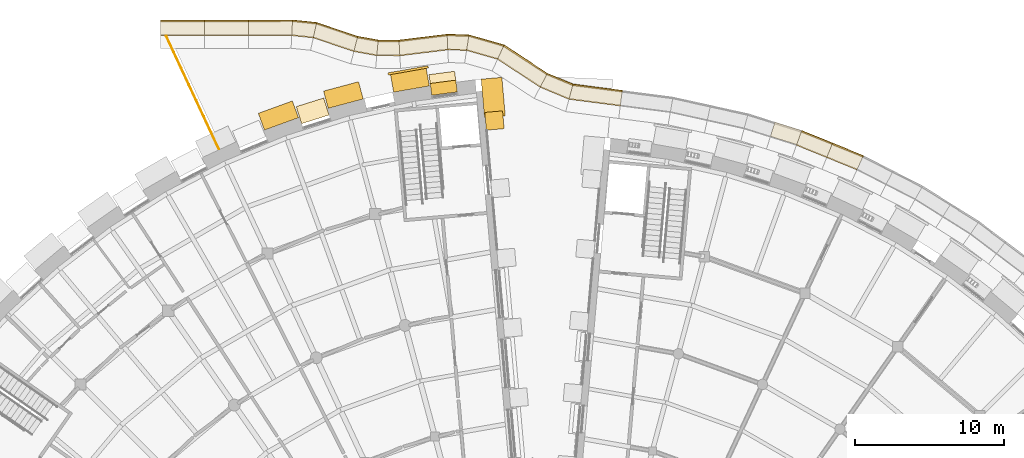
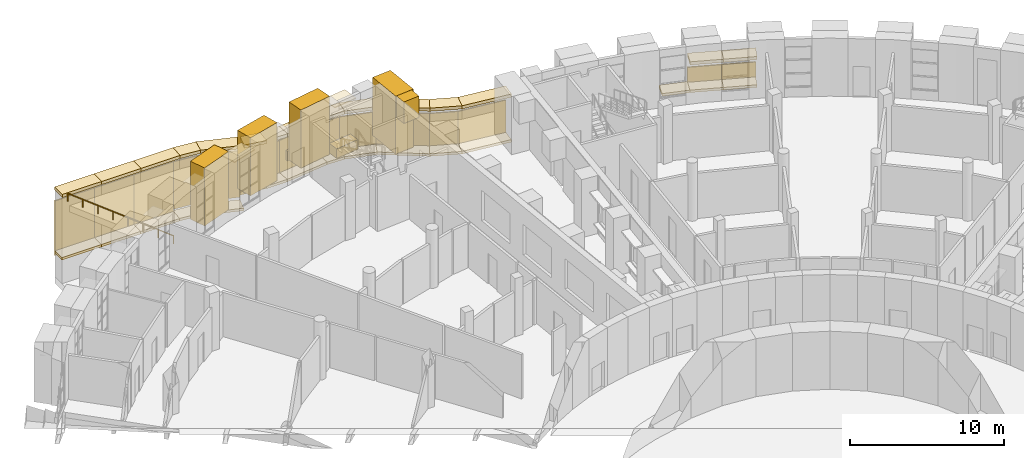
# One storey, part 80 of 85: 55 coverings, 1 railing.
"""IFC4 building model written with IfcOpenShell, lengths in metres."""

from ifc_helpers import new_model, si_unit, direction, frame, origin, origin_2d, place, context, subcontext, project, spatial, polyline, rectangle, circle, outline, extrude, material, layer, layer_set, type_object, element, save


model = new_model("IFC4")

# Units and contexts
model_context = context("Model", 3, precision=1e-05, world=origin(), true_north=direction((0.0, 1.0)))
body_context = subcontext(model_context, "Body", "Model", "MODEL_VIEW")
ifc_project = project(units=[si_unit("LENGTHUNIT", "METRE"), si_unit("AREAUNIT", "SQUARE_METRE"), si_unit("VOLUMEUNIT", "CUBIC_METRE"), si_unit("PLANEANGLEUNIT", "RADIAN"), si_unit("MASSUNIT", "GRAM", prefix="KILO")], contexts=[model_context])

# Site, building, storey
site_placement = place(None, origin())
site = spatial("IfcSite", under=ifc_project, at=site_placement, CompositionType="ELEMENT")
building_placement = place(site_placement, origin())
building = spatial("IfcBuilding", under=site, at=building_placement, Name="Volute Hill Aquarium", CompositionType="ELEMENT")
storey_placement = place(building_placement, origin())
storey = spatial("IfcBuildingStorey", under=building, at=storey_placement, Name="L01", CompositionType="ELEMENT", Elevation=0.0)

# Coverings
ifc_material_1 = material(Name="Blue limestone", Category="masonry")
covering_type_1 = type_object("IfcCoveringType", Name="Bluestone plinth block 275x750", PredefinedType="CLADDING", material=ifc_material_1)
covering_1_placement = place(storey_placement, frame((-6.84765625, 51.24560546875, 0.0), z_axis=(0.0, 0.0, 1.0), x_axis=(-0.991444832339, -0.130526412759, 0.0)))
element("IfcCovering", 1, at=covering_1_placement, inside=storey, type_object=covering_type_1, Name="Bluestone plinth BPN S6 L01 1", PredefinedType="CLADDING", context=body_context, shape_type="SweptSolid", body=[
    extrude(rectangle(XDim=1.733642578125, YDim=0.800048828125, at=origin_2d()), origin(), (0.0, 0.0, 1.0), 0.75),
])
ifc_material_2 = material(Name="Blue limestone", Category="masonry")
ifc_layer_1 = layer(ifc_material_2, 0.14990234375)
ifc_layer_set_1 = layer_set([ifc_layer_1], Name="Bluestone plinth plate 150x750")
covering_type_2 = type_object("IfcCoveringType", Name="Bluestone plinth plate 150x750", PredefinedType="CLADDING", material=ifc_layer_set_1)
covering_2_placement = place(storey_placement, frame((-9.2412109375, 52.41015625, 0.0), z_axis=(0.0, 0.0, 1.0), x_axis=(-0.984807753012, -0.173648177667, 0.0)))
element("IfcCovering", 2, at=covering_2_placement, inside=storey, type_object=covering_type_2, Name="Bluestone plinth BP S6 L01 1", PredefinedType="CLADDING", context=body_context, shape_type="SweptSolid", body=[
    extrude(rectangle(XDim=2.7353515625, YDim=0.14990234375, at=origin_2d()), origin(), (0.0, 0.0, 1.0), 0.75),
])
ifc_material_3 = material(Name="Precast concrete C40/50", Category="concrete")
covering_type_3 = type_object("IfcCoveringType", Name="End wall precast fin C40/50 1200x1200", PredefinedType="CLADDING", material=ifc_material_3)
covering_3_placement = place(storey_placement, frame((-3.43701171875, 49.037109375, 2.89990234375), z_axis=(0.0, 0.0, 1.0), x_axis=(-0.087158393672, 0.996194466162, 0.0)))
element("IfcCovering", 3, at=covering_3_placement, inside=storey, type_object=covering_type_3, Name="End wall fin EWF S6A L01 7", PredefinedType="CLADDING", context=body_context, shape_type="SweptSolid", body=[
    extrude(rectangle(XDim=1.199951171875, YDim=1.199951171875, at=origin_2d()), origin(), (0.0, 0.0, 1.0), 1.699951171875),
])
ifc_material_4 = material(Name="Aluminium, anodised", Category="aluminium")
ifc_layer_2 = layer(ifc_material_4, 0.080078125)
ifc_layer_set_2 = layer_set([ifc_layer_2], Name="Horizontal brise-soleil eyebrow 1200x80")
covering_type_4 = type_object("IfcCoveringType", Name="Horizontal brise-soleil eyebrow 1200x80", PredefinedType="CLADDING", material=ifc_layer_set_2)
covering_4_placement = place(storey_placement, frame((-6.89990234375, 51.64208984375, 3.85986328125), z_axis=(0.0, 0.0, 1.0), x_axis=(-0.991444832339, -0.130526412759, 0.0)))
element("IfcCovering", 4, at=covering_4_placement, inside=storey, type_object=covering_type_4, Name="Brise-soleil eyebrow BS S6 L01 1.1", PredefinedType="CLADDING", context=body_context, shape_type="SweptSolid", body=[
    extrude(rectangle(XDim=1.733642578125, YDim=1.199951171875, at=origin_2d()), origin(), (0.0, 0.0, 1.0), 0.080078125),
])
covering_5_placement = place(storey_placement, frame((-15.6669921875, 49.689453125, 3.85986328125), z_axis=(0.0, 0.0, 1.0), x_axis=(-0.953718003322, -0.300702461147, 0.0)))
element("IfcCovering", 5, at=covering_5_placement, inside=storey, type_object=covering_type_4, Name="Brise-soleil eyebrow BS S6 L01 3.1", PredefinedType="CLADDING", context=body_context, shape_type="SweptSolid", body=[
    extrude(rectangle(XDim=1.933837890625, YDim=1.199951171875, at=origin_2d()), origin(), (0.0, 0.0, 1.0), 0.080078125),
])
ifc_material_5 = material(Name="Precast concrete C40/50", Category="concrete")
ifc_layer_3 = layer(ifc_material_5, 0.25)
ifc_layer_set_3 = layer_set([ifc_layer_3], Name="Plinth coping precast concrete C40/50 1000")
covering_type_5 = type_object("IfcCoveringType", Name="Plinth coping precast concrete C40/50 1000", PredefinedType="CLADDING", material=ifc_layer_set_3)
covering_6_placement = place(storey_placement, frame((0.0, 0.0, 0.85009765625)))
element("IfcCovering", 6, at=covering_6_placement, inside=storey, type_object=covering_type_5, Name="cp/E64UP/L01/0", PredefinedType="CLADDING", context=body_context, shape_type="SweptSolid", body=[
    extrude(outline(polyline([(21.3603515625, 46.62939453125), (19.28662109375, 47.471923828125), (18.91015625, 46.54541015625), (20.943603515625, 45.71923828125), (20.943603515625, 45.71923828125), (21.3603515625, 46.62939453125)])), origin(), (0.0, 0.0, 1.0), 0.25),
])
covering_7_placement = place(storey_placement, frame((0.0, 0.0, 0.85009765625)))
element("IfcCovering", 7, at=covering_7_placement, inside=storey, type_object=covering_type_5, Name="cp/E64UP/L01/1", PredefinedType="CLADDING", context=body_context, shape_type="SweptSolid", body=[
    extrude(outline(polyline([(19.28662109375, 47.471923828125), (17.21435546875, 48.31396484375), (16.875244140625, 47.372314453125), (16.875244140625, 47.372314453125), (18.91015625, 46.54541015625), (19.28662109375, 47.471923828125)])), origin(), (0.0, 0.0, 1.0), 0.25),
])
covering_8_placement = place(storey_placement, frame((0.0, 0.0, 0.85009765625)))
element("IfcCovering", 8, at=covering_8_placement, inside=storey, type_object=covering_type_5, Name="cp/E67UP/L01/1", PredefinedType="CLADDING", context=body_context, shape_type="SweptSolid", body=[
    extrude(outline(polyline([(5.1552734375, 51.010009765625), (1.836669921875, 51.439208984375), (1.574951171875, 50.46484375), (1.574951171875, 50.46484375), (5.027099609375, 50.018310546875), (5.1552734375, 51.010009765625)])), origin(), (0.0, 0.0, 1.0), 0.25),
])
covering_9_placement = place(storey_placement, frame((0.0, 0.0, 0.85009765625)))
element("IfcCovering", 9, at=covering_9_placement, inside=storey, type_object=covering_type_5, Name="cp/E68UP/L01/0", PredefinedType="CLADDING", context=body_context, shape_type="SweptSolid", body=[
    extrude(outline(polyline([(0.103271484375, 52.164306640625), (0.103271484375, 52.164306640625), (-0.367919921875, 51.277587890625), (1.574951171875, 50.46484375), (1.836669921875, 51.439208984375), (1.836669921875, 51.439208984375), (0.103271484375, 52.164306640625)])), origin(), (0.0, 0.0, 1.0), 0.25),
])
covering_10_placement = place(storey_placement, frame((0.0, 0.0, 0.85009765625)))
element("IfcCovering", 10, at=covering_10_placement, inside=storey, type_object=covering_type_5, Name="cp/E69UP/L01/0", PredefinedType="CLADDING", context=body_context, shape_type="SweptSolid", body=[
    extrude(outline(polyline([(-2.8095703125, 54.075439453125), (-2.8095703125, 54.075439453125), (-3.231201171875, 53.156005859375), (-0.367919921875, 51.277587890625), (-0.367919921875, 51.277587890625), (0.103271484375, 52.164306640625), (-2.8095703125, 54.075439453125)])), origin(), (0.0, 0.0, 1.0), 0.25),
])
covering_11_placement = place(storey_placement, frame((0.0, 0.0, 0.85009765625)))
element("IfcCovering", 11, at=covering_11_placement, inside=storey, type_object=covering_type_5, Name="cp/E70UP/L01/0", PredefinedType="CLADDING", context=body_context, shape_type="SweptSolid", body=[
    extrude(outline(polyline([(-2.8095703125, 54.075439453125), (-5.15966796875, 54.749755859375), (-5.3134765625, 53.753662109375), (-3.231201171875, 53.156005859375), (-3.231201171875, 53.156005859375), (-2.8095703125, 54.075439453125)])), origin(), (0.0, 0.0, 1.0), 0.25),
])
covering_12_placement = place(storey_placement, frame((0.0, 0.0, 0.85009765625)))
element("IfcCovering", 12, at=covering_12_placement, inside=storey, type_object=covering_type_5, Name="cp/E71UP/L01/0", PredefinedType="CLADDING", context=body_context, shape_type="SweptSolid", body=[
    extrude(outline(polyline([(-6.62158203125, 54.7890625), (-6.62158203125, 54.7890625), (-6.57421875, 53.78759765625), (-6.57421875, 53.78759765625), (-5.3134765625, 53.753662109375), (-5.3134765625, 53.753662109375), (-5.15966796875, 54.749755859375), (-5.15966796875, 54.749755859375), (-6.62158203125, 54.7890625)])), origin(), (0.0, 0.0, 1.0), 0.25),
])
covering_13_placement = place(storey_placement, frame((0.0, 0.0, 0.85009765625)))
element("IfcCovering", 13, at=covering_13_placement, inside=storey, type_object=covering_type_5, Name="cp/E72UP/L01/0", PredefinedType="CLADDING", context=body_context, shape_type="SweptSolid", body=[
    extrude(outline(polyline([(-9.8583984375, 54.393310546875), (-9.8583984375, 54.393310546875), (-9.800537109375, 53.392822265625), (-6.57421875, 53.78759765625), (-6.62158203125, 54.7890625), (-9.8583984375, 54.393310546875)])), origin(), (0.0, 0.0, 1.0), 0.25),
])
covering_14_placement = place(storey_placement, frame((0.0, 0.0, 0.85009765625)))
element("IfcCovering", 14, at=covering_14_placement, inside=storey, type_object=covering_type_5, Name="cp/E73UP/L01/0", PredefinedType="CLADDING", context=body_context, shape_type="SweptSolid", body=[
    extrude(outline(polyline([(-9.8583984375, 54.393310546875), (-11.26220703125, 54.401611328125), (-11.353759765625, 53.402099609375), (-9.800537109375, 53.392822265625), (-9.800537109375, 53.392822265625), (-9.8583984375, 54.393310546875)])), origin(), (0.0, 0.0, 1.0), 0.25),
])
covering_15_placement = place(storey_placement, frame((0.0, 0.0, 0.85009765625)))
element("IfcCovering", 15, at=covering_15_placement, inside=storey, type_object=covering_type_5, Name="cp/E74UP/L01/0", PredefinedType="CLADDING", context=body_context, shape_type="SweptSolid", body=[
    extrude(outline(polyline([(-12.646240234375, 54.649169921875), (-12.646240234375, 54.649169921875), (-12.8955078125, 53.677978515625), (-12.8955078125, 53.677978515625), (-11.353759765625, 53.402099609375), (-11.353759765625, 53.402099609375), (-11.26220703125, 54.401611328125), (-11.26220703125, 54.401611328125), (-12.646240234375, 54.649169921875)])), origin(), (0.0, 0.0, 1.0), 0.25),
])
covering_16_placement = place(storey_placement, frame((0.0, 0.0, 0.85009765625)))
element("IfcCovering", 16, at=covering_16_placement, inside=storey, type_object=covering_type_5, Name="cp/E75UP/L01/0", PredefinedType="CLADDING", context=body_context, shape_type="SweptSolid", body=[
    extrude(outline(polyline([(-15.40966796875, 55.581298828125), (-15.40966796875, 55.581298828125), (-15.6240234375, 54.598388671875), (-12.8955078125, 53.677978515625), (-12.646240234375, 54.649169921875), (-15.40966796875, 55.581298828125)])), origin(), (0.0, 0.0, 1.0), 0.25),
])
covering_17_placement = place(storey_placement, frame((0.0, 0.0, 0.85009765625)))
element("IfcCovering", 17, at=covering_17_placement, inside=storey, type_object=covering_type_5, Name="cp/E76UP/L01/0", PredefinedType="CLADDING", context=body_context, shape_type="SweptSolid", body=[
    extrude(outline(polyline([(-15.40966796875, 55.581298828125), (-17.02294921875, 55.75), (-17.074462890625, 54.75), (-17.074462890625, 54.75), (-15.6240234375, 54.598388671875), (-15.6240234375, 54.598388671875), (-15.40966796875, 55.581298828125)])), origin(), (0.0, 0.0, 1.0), 0.25),
])
covering_18_placement = place(storey_placement, frame((0.0, 0.0, 0.85009765625)))
element("IfcCovering", 18, at=covering_18_placement, inside=storey, type_object=covering_type_5, Name="cp/E77UP/L01/0", PredefinedType="CLADDING", context=body_context, shape_type="SweptSolid", body=[
    extrude(outline(polyline([(-17.02294921875, 55.75), (-19.998291015625, 55.7470703125), (-19.997314453125, 54.7470703125), (-17.074462890625, 54.75), (-17.02294921875, 55.75), (-17.02294921875, 55.75)])), origin(), (0.0, 0.0, 1.0), 0.25),
])
covering_19_placement = place(storey_placement, frame((0.0, 0.0, 0.85009765625)))
element("IfcCovering", 19, at=covering_19_placement, inside=storey, type_object=covering_type_5, Name="cp/E77UP/L01/1", PredefinedType="CLADDING", context=body_context, shape_type="SweptSolid", body=[
    extrude(outline(polyline([(-19.998291015625, 55.7470703125), (-22.947265625, 55.744384765625), (-22.946533203125, 54.744384765625), (-19.997314453125, 54.7470703125), (-19.998291015625, 55.7470703125)])), origin(), (0.0, 0.0, 1.0), 0.25),
])
covering_20_placement = place(storey_placement, frame((0.0, 0.0, 0.85009765625)))
element("IfcCovering", 20, at=covering_20_placement, inside=storey, type_object=covering_type_5, Name="cp/E77UP/L01/2", PredefinedType="CLADDING", context=body_context, shape_type="SweptSolid", body=[
    extrude(outline(polyline([(-22.947265625, 55.744384765625), (-25.896484375, 55.741455078125), (-25.8955078125, 54.741455078125), (-22.946533203125, 54.744384765625), (-22.947265625, 55.744384765625)])), origin(), (0.0, 0.0, 1.0), 0.25),
])
ifc_material_6 = material(Name="Precast concrete C40/50", Category="concrete")
ifc_layer_4 = layer(ifc_material_6, 0.199951171875)
ifc_layer_set_4 = layer_set([ifc_layer_4], Name="Plinth grade course precast concrete C40/50 1100")
covering_type_6 = type_object("IfcCoveringType", Name="Plinth grade course precast concrete C40/50 1100", PredefinedType="CLADDING", material=ifc_layer_set_4)
covering_21_placement = place(storey_placement, frame((0.0, 0.0, -1.375)))
element("IfcCovering", 21, at=covering_21_placement, inside=storey, type_object=covering_type_6, Name="gc/E64UP/L01/0", PredefinedType="CLADDING", context=body_context, shape_type="SweptSolid", body=[
    extrude(outline(polyline([(21.38134765625, 46.6748046875), (19.305419921875, 47.518310546875), (18.928955078125, 46.591796875), (20.96435546875, 45.764892578125), (20.96435546875, 45.764892578125), (21.38134765625, 46.6748046875), (21.38134765625, 46.6748046875)])), origin(), (0.0, 0.0, 1.0), 0.199951171875),
])
covering_22_placement = place(storey_placement, frame((0.0, 0.0, -1.375)))
element("IfcCovering", 22, at=covering_22_placement, inside=storey, type_object=covering_type_6, Name="gc/E64UP/L01/1", PredefinedType="CLADDING", context=body_context, shape_type="SweptSolid", body=[
    extrude(outline(polyline([(17.2314453125, 48.36083984375), (17.2314453125, 48.36083984375), (16.892333984375, 47.41943359375), (16.892333984375, 47.41943359375), (18.928955078125, 46.591796875), (19.305419921875, 47.518310546875), (17.2314453125, 48.36083984375)])), origin(), (0.0, 0.0, 1.0), 0.199951171875),
])
covering_23_placement = place(storey_placement, frame((0.0, 0.0, -1.375)))
element("IfcCovering", 23, at=covering_23_placement, inside=storey, type_object=covering_type_6, Name="gc/E65UP/L01/0", PredefinedType="CLADDING", context=body_context, shape_type="SweptSolid", body=[
    extrude(outline(polyline([(17.2314453125, 48.36083984375), (15.4287109375, 48.929443359375), (15.1279296875, 47.9755859375), (16.892333984375, 47.41943359375), (17.2314453125, 48.36083984375)])), origin(), (0.0, 0.0, 1.0), 0.199951171875),
])
covering_24_placement = place(storey_placement, frame((0.0, 0.0, -2.75)))
element("IfcCovering", 24, at=covering_24_placement, inside=storey, type_object=covering_type_6, Name="gc/E67UP/L01/1", PredefinedType="CLADDING", context=body_context, shape_type="SweptSolid", body=[
    extrude(outline(polyline([(5.16162109375, 51.0595703125), (1.849853515625, 51.488037109375), (1.588134765625, 50.513427734375), (5.033447265625, 50.06787109375), (5.16162109375, 51.0595703125)])), origin(), (0.0, 0.0, 1.0), 0.199951171875),
])
covering_25_placement = place(storey_placement, frame((0.0, 0.0, -2.75)))
element("IfcCovering", 25, at=covering_25_placement, inside=storey, type_object=covering_type_6, Name="gc/E68UP/L01/0", PredefinedType="CLADDING", context=body_context, shape_type="SweptSolid", body=[
    extrude(outline(polyline([(0.126708984375, 52.208740234375), (0.126708984375, 52.208740234375), (-0.344482421875, 51.32177734375), (1.588134765625, 50.513427734375), (1.588134765625, 50.513427734375), (1.849853515625, 51.488037109375), (1.849853515625, 51.488037109375), (0.126708984375, 52.208740234375)])), origin(), (0.0, 0.0, 1.0), 0.199951171875),
])
covering_26_placement = place(storey_placement, frame((0.0, 0.0, -2.75)))
element("IfcCovering", 26, at=covering_26_placement, inside=storey, type_object=covering_type_6, Name="gc/E69UP/L01/0", PredefinedType="CLADDING", context=body_context, shape_type="SweptSolid", body=[
    extrude(outline(polyline([(0.126708984375, 52.208740234375), (-2.78857421875, 54.121337890625), (-3.210205078125, 53.2021484375), (-0.344482421875, 51.32177734375), (-0.344482421875, 51.32177734375), (0.126708984375, 52.208740234375)])), origin(), (0.0, 0.0, 1.0), 0.199951171875),
])
covering_27_placement = place(storey_placement, frame((0.0, 0.0, -2.75)))
element("IfcCovering", 27, at=covering_27_placement, inside=storey, type_object=covering_type_6, Name="gc/E70UP/L01/0", PredefinedType="CLADDING", context=body_context, shape_type="SweptSolid", body=[
    extrude(outline(polyline([(-2.78857421875, 54.121337890625), (-5.152099609375, 54.799560546875), (-5.305908203125, 53.803466796875), (-5.305908203125, 53.803466796875), (-3.210205078125, 53.2021484375), (-3.210205078125, 53.2021484375), (-2.78857421875, 54.121337890625), (-2.78857421875, 54.121337890625)])), origin(), (0.0, 0.0, 1.0), 0.199951171875),
])
covering_28_placement = place(storey_placement, frame((0.0, 0.0, -2.75)))
element("IfcCovering", 28, at=covering_28_placement, inside=storey, type_object=covering_type_6, Name="gc/E71UP/L01/0", PredefinedType="CLADDING", context=body_context, shape_type="SweptSolid", body=[
    extrude(outline(polyline([(-6.6240234375, 54.83935546875), (-6.6240234375, 54.83935546875), (-6.576416015625, 53.837646484375), (-5.305908203125, 53.803466796875), (-5.152099609375, 54.799560546875), (-5.152099609375, 54.799560546875), (-6.6240234375, 54.83935546875)])), origin(), (0.0, 0.0, 1.0), 0.199951171875),
])
covering_29_placement = place(storey_placement, frame((0.0, 0.0, -2.75)))
element("IfcCovering", 29, at=covering_29_placement, inside=storey, type_object=covering_type_6, Name="gc/E72UP/L01/0", PredefinedType="CLADDING", context=body_context, shape_type="SweptSolid", body=[
    extrude(outline(polyline([(-9.861328125, 54.443359375), (-9.861328125, 54.443359375), (-9.803466796875, 53.44287109375), (-6.576416015625, 53.837646484375), (-6.576416015625, 53.837646484375), (-6.6240234375, 54.83935546875), (-9.861328125, 54.443359375)])), origin(), (0.0, 0.0, 1.0), 0.199951171875),
])
covering_30_placement = place(storey_placement, frame((0.0, 0.0, -2.75)))
element("IfcCovering", 30, at=covering_30_placement, inside=storey, type_object=covering_type_6, Name="gc/E73UP/L01/0", PredefinedType="CLADDING", context=body_context, shape_type="SweptSolid", body=[
    extrude(outline(polyline([(-9.861328125, 54.443359375), (-11.257568359375, 54.45166015625), (-11.34912109375, 53.4521484375), (-9.803466796875, 53.44287109375), (-9.803466796875, 53.44287109375), (-9.861328125, 54.443359375)])), origin(), (0.0, 0.0, 1.0), 0.199951171875),
])
covering_31_placement = place(storey_placement, frame((0.0, 0.0, -2.75)))
element("IfcCovering", 31, at=covering_31_placement, inside=storey, type_object=covering_type_6, Name="gc/E74UP/L01/0", PredefinedType="CLADDING", context=body_context, shape_type="SweptSolid", body=[
    extrude(outline(polyline([(-11.257568359375, 54.45166015625), (-12.6337890625, 54.69775390625), (-12.883056640625, 53.7265625), (-12.883056640625, 53.7265625), (-11.34912109375, 53.4521484375), (-11.34912109375, 53.4521484375), (-11.257568359375, 54.45166015625), (-11.257568359375, 54.45166015625)])), origin(), (0.0, 0.0, 1.0), 0.199951171875),
])
covering_32_placement = place(storey_placement, frame((0.0, 0.0, -4.125)))
element("IfcCovering", 32, at=covering_32_placement, inside=storey, type_object=covering_type_6, Name="gc/E75UP/L01/0", PredefinedType="CLADDING", context=body_context, shape_type="SweptSolid", body=[
    extrude(outline(polyline([(-12.6337890625, 54.69775390625), (-15.39892578125, 55.630615234375), (-15.61328125, 54.6474609375), (-15.61328125, 54.6474609375), (-12.883056640625, 53.7265625), (-12.6337890625, 54.69775390625)])), origin(), (0.0, 0.0, 1.0), 0.199951171875),
])
covering_33_placement = place(storey_placement, frame((0.0, 0.0, -4.125)))
element("IfcCovering", 33, at=covering_33_placement, inside=storey, type_object=covering_type_6, Name="gc/E76UP/L01/0", PredefinedType="CLADDING", context=body_context, shape_type="SweptSolid", body=[
    extrude(outline(polyline([(-17.020263671875, 55.800048828125), (-17.020263671875, 55.800048828125), (-17.072021484375, 54.800048828125), (-15.61328125, 54.6474609375), (-15.39892578125, 55.630615234375), (-15.39892578125, 55.630615234375), (-17.020263671875, 55.800048828125)])), origin(), (0.0, 0.0, 1.0), 0.199951171875),
])
covering_34_placement = place(storey_placement, frame((0.0, 0.0, -4.125)))
element("IfcCovering", 34, at=covering_34_placement, inside=storey, type_object=covering_type_6, Name="gc/E77UP/L01/0", PredefinedType="CLADDING", context=body_context, shape_type="SweptSolid", body=[
    extrude(outline(polyline([(-17.020263671875, 55.800048828125), (-19.998291015625, 55.797119140625), (-19.997314453125, 54.797119140625), (-17.072021484375, 54.800048828125), (-17.072021484375, 54.800048828125), (-17.020263671875, 55.800048828125)])), origin(), (0.0, 0.0, 1.0), 0.199951171875),
])
covering_35_placement = place(storey_placement, frame((0.0, 0.0, -4.125)))
element("IfcCovering", 35, at=covering_35_placement, inside=storey, type_object=covering_type_6, Name="gc/E77UP/L01/1", PredefinedType="CLADDING", context=body_context, shape_type="SweptSolid", body=[
    extrude(outline(polyline([(-19.998291015625, 55.797119140625), (-22.947509765625, 55.794189453125), (-22.946533203125, 54.794189453125), (-19.997314453125, 54.797119140625), (-19.998291015625, 55.797119140625)])), origin(), (0.0, 0.0, 1.0), 0.199951171875),
])
covering_36_placement = place(storey_placement, frame((0.0, 0.0, -4.125)))
element("IfcCovering", 36, at=covering_36_placement, inside=storey, type_object=covering_type_6, Name="gc/E77UP/L01/2", PredefinedType="CLADDING", context=body_context, shape_type="SweptSolid", body=[
    extrude(outline(polyline([(-22.947509765625, 55.794189453125), (-25.896484375, 55.79150390625), (-25.8955078125, 54.79150390625), (-22.946533203125, 54.794189453125), (-22.947509765625, 55.794189453125)])), origin(), (0.0, 0.0, 1.0), 0.199951171875),
])
ifc_material_7 = material(Name="Precast concrete C40/50", Category="concrete")
covering_type_7 = type_object("IfcCoveringType", Name="Projecting pier precast concrete C40/50 2435x1200", PredefinedType="CLADDING", material=ifc_material_7)
for number, where, z_axis, x_axis, name in (
    (37, (-9.1240234375, 51.745361328125, 0.0), (0.0, 0.0, 1.0), (-0.984807753012, -0.173648177667, 0.0), "Projecting pier PP S6 L01 1"),
    (38, (-13.599365234375, 50.75341796875, 0.0), (0.0, 0.0, 1.0), (-0.965925826289, -0.258819045103, 0.0), "Projecting pier PP S6 L01 2"),
    (39, (-17.970947265625, 49.375, 0.0), (0.0, 0.0, 1.0), (-0.939692620786, -0.342020143326, 0.0), "Projecting pier PP S6 L01 3"),
):
    element("IfcCovering", number, at=place(storey_placement, frame(where, z_axis=z_axis, x_axis=x_axis)), inside=storey, type_object=covering_type_7, Name=name, PredefinedType="CLADDING", context=body_context, shape_type="SweptSolid", body=[
        extrude(rectangle(XDim=2.435302734375, YDim=1.199951171875, at=origin_2d()), origin(), (0.0, 0.0, 1.0), 4.60009765625),
    ])
ifc_material_8 = material(Name="Precast concrete C40/50", Category="concrete")
ifc_layer_5 = layer(ifc_material_8, 0.10009765625)
ifc_layer_set_5 = layer_set([ifc_layer_5], Name="Retained ground face precast concrete C40/50 100")
covering_type_8 = type_object("IfcCoveringType", Name="Retained ground face precast concrete C40/50 100", PredefinedType="CLADDING", material=ifc_layer_set_5)
covering_37_placement = place(storey_placement, frame((0.0, 0.0, -1.481689453125)))
element("IfcCovering", 40, at=covering_37_placement, inside=storey, type_object=covering_type_8, Name="tg/E64UP/L01/0", PredefinedType="CLADDING", context=body_context, shape_type="SweptSolid", body=[
    extrude(outline(polyline([(21.38134765625, 46.6748046875), (19.305419921875, 47.518310546875), (19.267822265625, 47.425537109375), (21.339599609375, 46.583984375), (21.339599609375, 46.583984375), (21.38134765625, 46.6748046875), (21.38134765625, 46.6748046875)])), origin(), (0.0, 0.0, 1.0), 1.481689453125),
])
covering_38_placement = place(storey_placement, frame((0.0, 0.0, -1.611572265625)))
element("IfcCovering", 41, at=covering_38_placement, inside=storey, type_object=covering_type_8, Name="tg/E64UP/L01/1", PredefinedType="CLADDING", context=body_context, shape_type="SweptSolid", body=[
    extrude(outline(polyline([(17.2314453125, 48.36083984375), (17.2314453125, 48.36083984375), (17.197509765625, 48.266845703125), (17.197509765625, 48.266845703125), (19.267822265625, 47.425537109375), (19.305419921875, 47.518310546875), (17.2314453125, 48.36083984375)])), origin(), (0.0, 0.0, 1.0), 1.611572265625),
])
covering_39_placement = place(storey_placement, frame((0.0, 0.0, -2.581298828125)))
element("IfcCovering", 42, at=covering_39_placement, inside=storey, type_object=covering_type_8, Name="tg/E67UP/L01/1", PredefinedType="CLADDING", context=body_context, shape_type="SweptSolid", body=[
    extrude(outline(polyline([(5.16162109375, 51.0595703125), (1.849853515625, 51.488037109375), (1.82373046875, 51.390625), (5.14892578125, 50.96044921875), (5.16162109375, 51.0595703125)])), origin(), (0.0, 0.0, 1.0), 2.581298828125),
])
covering_40_placement = place(storey_placement, frame((0.0, 0.0, -2.697509765625)))
element("IfcCovering", 43, at=covering_40_placement, inside=storey, type_object=covering_type_8, Name="tg/E68UP/L01/0", PredefinedType="CLADDING", context=body_context, shape_type="SweptSolid", body=[
    extrude(outline(polyline([(0.126708984375, 52.208740234375), (0.126708984375, 52.208740234375), (0.07958984375, 52.1201171875), (1.82373046875, 51.390625), (1.82373046875, 51.390625), (1.849853515625, 51.488037109375), (1.849853515625, 51.488037109375), (0.126708984375, 52.208740234375)])), origin(), (0.0, 0.0, 1.0), 2.697509765625),
])
covering_41_placement = place(storey_placement, frame((0.0, 0.0, -2.8798828125)))
element("IfcCovering", 44, at=covering_41_placement, inside=storey, type_object=covering_type_8, Name="tg/E69UP/L01/0", PredefinedType="CLADDING", context=body_context, shape_type="SweptSolid", body=[
    extrude(outline(polyline([(0.126708984375, 52.208740234375), (-2.78857421875, 54.121337890625), (-2.83056640625, 54.029541015625), (0.07958984375, 52.1201171875), (0.07958984375, 52.1201171875), (0.126708984375, 52.208740234375)])), origin(), (0.0, 0.0, 1.0), 2.8798828125),
])
covering_42_placement = place(storey_placement, frame((0.0, 0.0, -3.02001953125)))
element("IfcCovering", 45, at=covering_42_placement, inside=storey, type_object=covering_type_8, Name="tg/E70UP/L01/0", PredefinedType="CLADDING", context=body_context, shape_type="SweptSolid", body=[
    extrude(outline(polyline([(-2.78857421875, 54.121337890625), (-5.152099609375, 54.799560546875), (-5.16748046875, 54.699951171875), (-5.16748046875, 54.699951171875), (-2.83056640625, 54.029541015625), (-2.83056640625, 54.029541015625), (-2.78857421875, 54.121337890625), (-2.78857421875, 54.121337890625)])), origin(), (0.0, 0.0, 1.0), 3.02001953125),
])
covering_43_placement = place(storey_placement, frame((0.0, 0.0, -3.106201171875)))
element("IfcCovering", 46, at=covering_43_placement, inside=storey, type_object=covering_type_8, Name="tg/E71UP/L01/0", PredefinedType="CLADDING", context=body_context, shape_type="SweptSolid", body=[
    extrude(outline(polyline([(-6.6240234375, 54.83935546875), (-6.6240234375, 54.83935546875), (-6.619384765625, 54.739013671875), (-5.16748046875, 54.699951171875), (-5.152099609375, 54.799560546875), (-5.152099609375, 54.799560546875), (-6.6240234375, 54.83935546875)])), origin(), (0.0, 0.0, 1.0), 3.106201171875),
])
covering_44_placement = place(storey_placement, frame((0.0, 0.0, -3.310546875)))
element("IfcCovering", 47, at=covering_44_placement, inside=storey, type_object=covering_type_8, Name="tg/E72UP/L01/0", PredefinedType="CLADDING", context=body_context, shape_type="SweptSolid", body=[
    extrude(outline(polyline([(-9.861328125, 54.443359375), (-9.861328125, 54.443359375), (-9.85546875, 54.34326171875), (-6.619384765625, 54.739013671875), (-6.619384765625, 54.739013671875), (-6.6240234375, 54.83935546875), (-9.861328125, 54.443359375)])), origin(), (0.0, 0.0, 1.0), 3.310546875),
])
covering_45_placement = place(storey_placement, frame((0.0, 0.0, -3.404052734375)))
element("IfcCovering", 48, at=covering_45_placement, inside=storey, type_object=covering_type_8, Name="tg/E73UP/L01/0", PredefinedType="CLADDING", context=body_context, shape_type="SweptSolid", body=[
    extrude(outline(polyline([(-9.861328125, 54.443359375), (-11.257568359375, 54.45166015625), (-11.2666015625, 54.3515625), (-9.85546875, 54.34326171875), (-9.85546875, 54.34326171875), (-9.861328125, 54.443359375)])), origin(), (0.0, 0.0, 1.0), 3.404052734375),
])
covering_46_placement = place(storey_placement, frame((0.0, 0.0, -3.496337890625)))
element("IfcCovering", 49, at=covering_46_placement, inside=storey, type_object=covering_type_8, Name="tg/E74UP/L01/0", PredefinedType="CLADDING", context=body_context, shape_type="SweptSolid", body=[
    extrude(outline(polyline([(-11.257568359375, 54.45166015625), (-12.6337890625, 54.69775390625), (-12.658935546875, 54.6005859375), (-12.658935546875, 54.6005859375), (-11.2666015625, 54.3515625), (-11.2666015625, 54.3515625), (-11.257568359375, 54.45166015625), (-11.257568359375, 54.45166015625)])), origin(), (0.0, 0.0, 1.0), 3.496337890625),
])
covering_47_placement = place(storey_placement, frame((0.0, 0.0, -3.669921875)))
element("IfcCovering", 50, at=covering_47_placement, inside=storey, type_object=covering_type_8, Name="tg/E75UP/L01/0", PredefinedType="CLADDING", context=body_context, shape_type="SweptSolid", body=[
    extrude(outline(polyline([(-12.6337890625, 54.69775390625), (-15.39892578125, 55.630615234375), (-15.420166015625, 55.5322265625), (-12.658935546875, 54.6005859375), (-12.6337890625, 54.69775390625)])), origin(), (0.0, 0.0, 1.0), 3.669921875),
])
covering_48_placement = place(storey_placement, frame((0.0, 0.0, -3.766845703125)))
element("IfcCovering", 51, at=covering_48_placement, inside=storey, type_object=covering_type_8, Name="tg/E76UP/L01/0", PredefinedType="CLADDING", context=body_context, shape_type="SweptSolid", body=[
    extrude(outline(polyline([(-17.020263671875, 55.800048828125), (-17.020263671875, 55.800048828125), (-17.025390625, 55.699951171875), (-17.025390625, 55.699951171875), (-15.420166015625, 55.5322265625), (-15.420166015625, 55.5322265625), (-15.39892578125, 55.630615234375), (-15.39892578125, 55.630615234375), (-17.020263671875, 55.800048828125)])), origin(), (0.0, 0.0, 1.0), 3.766845703125),
])
covering_49_placement = place(storey_placement, frame((0.0, 0.0, -3.953369140625)))
element("IfcCovering", 52, at=covering_49_placement, inside=storey, type_object=covering_type_8, Name="tg/E77UP/L01/0", PredefinedType="CLADDING", context=body_context, shape_type="SweptSolid", body=[
    extrude(outline(polyline([(-17.020263671875, 55.800048828125), (-19.998291015625, 55.797119140625), (-19.998291015625, 55.697021484375), (-17.025390625, 55.699951171875), (-17.020263671875, 55.800048828125)])), origin(), (0.0, 0.0, 1.0), 3.953369140625),
])
covering_50_placement = place(storey_placement, frame((0.0, 0.0, -4.1396484375)))
element("IfcCovering", 53, at=covering_50_placement, inside=storey, type_object=covering_type_8, Name="tg/E77UP/L01/1", PredefinedType="CLADDING", context=body_context, shape_type="SweptSolid", body=[
    extrude(outline(polyline([(-19.998291015625, 55.797119140625), (-22.947509765625, 55.794189453125), (-22.947265625, 55.6943359375), (-19.998291015625, 55.697021484375), (-19.998291015625, 55.797119140625)])), origin(), (0.0, 0.0, 1.0), 4.1396484375),
])
covering_51_placement = place(storey_placement, frame((0.0, 0.0, -4.326171875)))
element("IfcCovering", 54, at=covering_51_placement, inside=storey, type_object=covering_type_8, Name="tg/E77UP/L01/2", PredefinedType="CLADDING", context=body_context, shape_type="SweptSolid", body=[
    extrude(outline(polyline([(-22.947509765625, 55.794189453125), (-25.896484375, 55.79150390625), (-25.896484375, 55.69140625), (-22.947265625, 55.6943359375), (-22.947509765625, 55.794189453125)])), origin(), (0.0, 0.0, 1.0), 4.326171875),
])

# Railing
ifc_material_9 = material(Name="Steel S355", Category="steel")
railing_type = type_object("IfcRailingType", Name="Site guard 1100", PredefinedType="GUARDRAIL", material=ifc_material_9)
railing_placement = place(storey_placement, frame((-21.97607421875, 47.1279296875, 0.449951171875)))
element("IfcRailing", 55, at=railing_placement, inside=storey, type_object=railing_type, Name="gd/RW115/L00/0", PredefinedType="GUARDRAIL", context=body_context, shape_type="SweptSolid", body=[
    extrude(circle(Radius=0.02392578125, at=origin_2d()), frame((0.0, 0.0, 0.6259765625), z_axis=(-0.422629988689, 0.906302318578, 0.0), x_axis=(-0.906302318578, -0.422629988689, 0.0)), (0.0, 0.0, 1.0), 8.37109375),
    extrude(circle(Radius=0.02099609375, at=origin_2d()), origin(), (0.0, 0.0, 1.0), 0.601806640625),
    extrude(circle(Radius=0.02099609375, at=origin_2d()), frame((-0.50537109375, 1.083740234375, 0.0)), (0.0, 0.0, 1.0), 0.601806640625),
    extrude(circle(Radius=0.02099609375, at=origin_2d()), frame((-1.0107421875, 2.167724609375, 0.0)), (0.0, 0.0, 1.0), 0.601806640625),
    extrude(circle(Radius=0.02099609375, at=origin_2d()), frame((-1.51611328125, 3.25146484375, 0.0)), (0.0, 0.0, 1.0), 0.601806640625),
    extrude(circle(Radius=0.02099609375, at=origin_2d()), frame((-2.021728515625, 4.335205078125, 0.0)), (0.0, 0.0, 1.0), 0.601806640625),
    extrude(circle(Radius=0.02099609375, at=origin_2d()), frame((-2.527099609375, 5.4189453125, 0.0)), (0.0, 0.0, 1.0), 0.601806640625),
    extrude(circle(Radius=0.02099609375, at=origin_2d()), frame((-3.032470703125, 6.5029296875, 0.0)), (0.0, 0.0, 1.0), 0.601806640625),
    extrude(circle(Radius=0.02099609375, at=origin_2d()), frame((-3.537841796875, 7.586669921875, 0.0)), (0.0, 0.0, 1.0), 0.601806640625),
])

# Covering
ifc_material_10 = material(Name="Precast concrete C40/50", Category="concrete")
covering_type_9 = type_object("IfcCoveringType", Name="Step pylon precast concrete C40/50 1400x2600", PredefinedType="CLADDING", material=ifc_material_10)
covering_52_placement = place(storey_placement, frame((-3.522216796875, 50.58544921875, 0.0), z_axis=(0.0, 0.0, 1.0), x_axis=(-0.087155742748, 0.996194698092, 0.0)))
element("IfcCovering", 56, at=covering_52_placement, inside=storey, type_object=covering_type_9, Name="Step pylon SPY S6A L01", PredefinedType="CLADDING", context=body_context, shape_type="SweptSolid", body=[
    extrude(rectangle(XDim=2.60009765625, YDim=1.39990234375, at=origin_2d()), origin(), (0.0, 0.0, 1.0), 4.60009765625),
])

save(model, "model.ifc")
